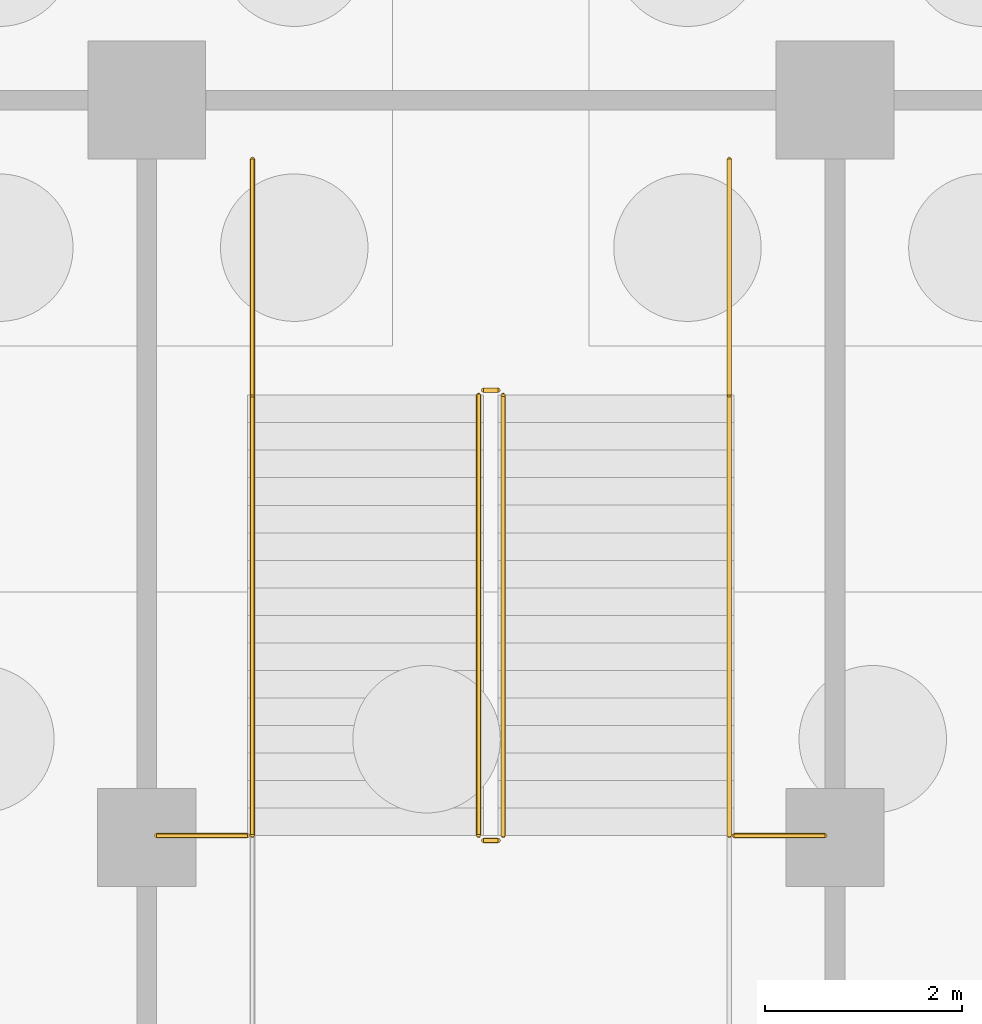
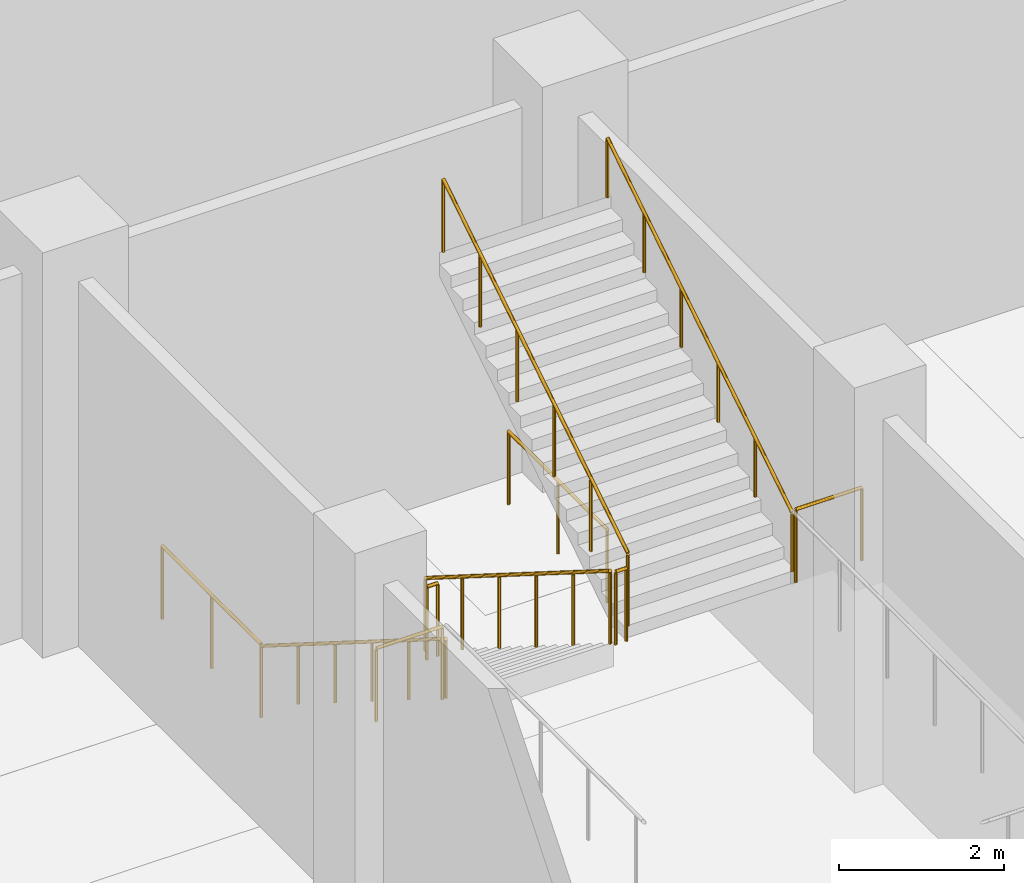
# One storey, part 33 of 39: 10 railings.
"""IFC4 building model written with IfcOpenShell, lengths in metres."""

from ifc_helpers import new_model, si_unit, direction, frame, origin, origin_2d, place, context, subcontext, project, spatial, circle, extrude, material, type_object, element, save


model = new_model("IFC4")

# Units and contexts
model_context = context("Model", 3, precision=1e-05, world=origin(), true_north=direction((0.0, 1.0)))
body_context = subcontext(model_context, "Body", "Model", "MODEL_VIEW")
ifc_project = project(units=[si_unit("LENGTHUNIT", "METRE"), si_unit("AREAUNIT", "SQUARE_METRE"), si_unit("VOLUMEUNIT", "CUBIC_METRE"), si_unit("PLANEANGLEUNIT", "RADIAN"), si_unit("MASSUNIT", "GRAM", prefix="KILO")], contexts=[model_context])

# Site, building, storey
site_placement = place(None, origin())
site = spatial("IfcSite", under=ifc_project, at=site_placement, CompositionType="ELEMENT")
building_placement = place(site_placement, origin())
building = spatial("IfcBuilding", under=site, at=building_placement, Name="Tamorin Gate", CompositionType="ELEMENT")
storey_placement = place(building_placement, frame((0.0, 0.0, -12.0)))
storey = spatial("IfcBuildingStorey", under=building, at=storey_placement, Name="B2", CompositionType="ELEMENT", Elevation=-12.0)

# Railings
ifc_material = material(Name="Steel", Category="steel")
railing_type_1 = type_object("IfcRailingType", Name="Podium guard 1100", PredefinedType="GUARDRAIL", material=ifc_material)
railing_1_placement = place(storey_placement, frame((70.875, 109.0, 0.176513671875)))
element("IfcRailing", 1, at=railing_1_placement, inside=storey, type_object=railing_type_1, Name="B2 SB4 stair guard 1", PredefinedType="GUARDRAIL", context=body_context, shape_type="SweptSolid", body=[
    extrude(circle(Radius=0.02392578125, at=origin_2d()), frame((0.0, 0.0, 1.076171875), z_axis=(0.0, -0.845997938375, 0.533186166611), x_axis=(1.0, 0.0, 0.0)), (0.0, 0.0, 1.0), 5.29541015625),
    extrude(circle(Radius=0.02099609375, at=origin_2d()), origin(), (0.0, 0.0, 1.0), 1.052001953125),
    extrude(circle(Radius=0.02099609375, at=origin_2d()), frame((0.0, -0.89599609375, 0.564697265625)), (0.0, 0.0, 1.0), 1.052001953125),
    extrude(circle(Radius=0.02099609375, at=origin_2d()), frame((0.0, -1.7919921875, 1.12939453125)), (0.0, 0.0, 1.0), 1.052001953125),
    extrude(circle(Radius=0.02099609375, at=origin_2d()), frame((0.0, -2.68798828125, 1.694091796875)), (0.0, 0.0, 1.0), 1.052001953125),
    extrude(circle(Radius=0.02099609375, at=origin_2d()), frame((0.0, -3.583984375, 2.2587890625)), (0.0, 0.0, 1.0), 1.052001953125),
    extrude(circle(Radius=0.02099609375, at=origin_2d()), frame((0.0, -4.47998046875, 2.823486328125)), (0.0, 0.0, 1.0), 1.052001953125),
])
railing_2_placement = place(storey_placement, frame((70.925048828125, 104.469970703125, 3.0)))
element("IfcRailing", 2, at=railing_2_placement, inside=storey, type_object=railing_type_1, Name="B2 SB4 stair guard 2", PredefinedType="GUARDRAIL", context=body_context, shape_type="SweptSolid", body=[
    extrude(circle(Radius=0.02392578125, at=origin_2d()), frame((0.0, 0.0, 1.076171875), z_axis=(1.0, 0.0, 0.0), x_axis=(0.0, 1.0, 0.0)), (0.0, 0.0, 1.0), 0.14990234375),
    extrude(circle(Radius=0.02099609375, at=origin_2d()), origin(), (0.0, 0.0, 1.0), 1.052001953125),
    extrude(circle(Radius=0.02099609375, at=origin_2d()), frame((0.14990234375, 0.0, 0.0)), (0.0, 0.0, 1.0), 1.052001953125),
])
railing_3_placement = place(storey_placement, frame((71.125, 104.52001953125, 3.176513671875)))
element("IfcRailing", 3, at=railing_3_placement, inside=storey, type_object=railing_type_1, Name="B2 SB4 stair guard 6", PredefinedType="GUARDRAIL", context=body_context, shape_type="SweptSolid", body=[
    extrude(circle(Radius=0.02392578125, at=origin_2d()), frame((0.0, 0.0, 1.076171875), z_axis=(0.0, 0.845997938375, 0.533186166611), x_axis=(-1.0, 0.0, 0.0)), (0.0, 0.0, 1.0), 5.29541015625),
    extrude(circle(Radius=0.02099609375, at=origin_2d()), origin(), (0.0, 0.0, 1.0), 1.052001953125),
    extrude(circle(Radius=0.02099609375, at=origin_2d()), frame((0.0, 0.89599609375, 0.564697265625)), (0.0, 0.0, 1.0), 1.052001953125),
    extrude(circle(Radius=0.02099609375, at=origin_2d()), frame((0.0, 1.7919921875, 1.12939453125)), (0.0, 0.0, 1.0), 1.052001953125),
    extrude(circle(Radius=0.02099609375, at=origin_2d()), frame((0.0, 2.68798828125, 1.694091796875)), (0.0, 0.0, 1.0), 1.052001953125),
    extrude(circle(Radius=0.02099609375, at=origin_2d()), frame((0.0, 3.583984375, 2.2587890625)), (0.0, 0.0, 1.0), 1.052001953125),
    extrude(circle(Radius=0.02099609375, at=origin_2d()), frame((0.0, 4.47998046875, 2.823486328125)), (0.0, 0.0, 1.0), 1.052001953125),
])
railing_4_placement = place(storey_placement, frame((70.925048828125, 109.050048828125, 0.0)))
element("IfcRailing", 4, at=railing_4_placement, inside=storey, type_object=railing_type_1, Name="B2 SB4 stair guard 7", PredefinedType="GUARDRAIL", context=body_context, shape_type="SweptSolid", body=[
    extrude(circle(Radius=0.02392578125, at=origin_2d()), frame((0.0, 0.0, 1.076171875), z_axis=(1.0, 0.0, 0.0), x_axis=(0.0, 1.0, 0.0)), (0.0, 0.0, 1.0), 0.14990234375),
    extrude(circle(Radius=0.02099609375, at=origin_2d()), origin(), (0.0, 0.0, 1.0), 1.052001953125),
    extrude(circle(Radius=0.02099609375, at=origin_2d()), frame((0.14990234375, 0.0, 0.0)), (0.0, 0.0, 1.0), 1.052001953125),
])
for number, where, name in (
    (5, (68.574951171875, 111.39990234375, 0.0), "B2 SB4 stair guard 8"),
    (6, (73.425048828125, 111.39990234375, 0.0), "B2 SB4 stair guard 9"),
):
    element("IfcRailing", number, at=place(storey_placement, frame(where)), inside=storey, type_object=railing_type_1, Name=name, PredefinedType="GUARDRAIL", context=body_context, shape_type="SweptSolid", body=[
        extrude(circle(Radius=0.02392578125, at=origin_2d()), frame((0.0, 0.0, 1.076171875), z_axis=(0.0, -1.0, 0.0), x_axis=(1.0, 0.0, 0.0)), (0.0, 0.0, 1.0), 2.39990234375),
        extrude(circle(Radius=0.02099609375, at=origin_2d()), origin(), (0.0, 0.0, 1.0), 1.052001953125),
        extrude(circle(Radius=0.02099609375, at=origin_2d()), frame((0.0, -1.199951171875, 0.0)), (0.0, 0.0, 1.0), 1.052001953125),
        extrude(circle(Radius=0.02099609375, at=origin_2d()), frame((0.0, -2.39990234375, 0.0)), (0.0, 0.0, 1.0), 1.052001953125),
    ])
for number, where, name in (
    (7, (67.60009765625, 104.52001953125, 3.0), "Landing edge guard"),
    (8, (73.47509765625, 104.52001953125, 3.0), "Landing edge guard"),
):
    element("IfcRailing", number, at=place(storey_placement, frame(where)), inside=storey, type_object=railing_type_1, Name=name, PredefinedType="GUARDRAIL", context=body_context, shape_type="SweptSolid", body=[
        extrude(circle(Radius=0.02392578125, at=origin_2d()), frame((0.0, 0.0, 1.076171875), z_axis=(1.0, 0.0, 0.0), x_axis=(0.0, 1.0, 0.0)), (0.0, 0.0, 1.0), 0.9248046875),
        extrude(circle(Radius=0.02099609375, at=origin_2d()), origin(), (0.0, 0.0, 1.0), 1.052001953125),
        extrude(circle(Radius=0.02099609375, at=origin_2d()), frame((0.9248046875, 0.0, 0.0)), (0.0, 0.0, 1.0), 1.052001953125),
    ])
railing_type_2 = type_object("IfcRailingType", Name="Podium stair handrail 900", PredefinedType="HANDRAIL", material=ifc_material)
railing_5_placement = place(storey_placement, frame((68.574951171875, 109.0, 0.176513671875)))
element("IfcRailing", 9, at=railing_5_placement, inside=storey, type_object=railing_type_2, Name="B2 SB4 stair handrail 1", PredefinedType="HANDRAIL", context=body_context, shape_type="SweptSolid", body=[
    extrude(circle(Radius=0.02392578125, at=origin_2d()), frame((0.0, 0.0, 0.8759765625), z_axis=(0.0, -0.845997938375, 0.533186166611), x_axis=(1.0, 0.0, 0.0)), (0.0, 0.0, 1.0), 5.29541015625),
    extrude(circle(Radius=0.02099609375, at=origin_2d()), origin(), (0.0, 0.0, 1.0), 0.851806640625),
    extrude(circle(Radius=0.02099609375, at=origin_2d()), frame((0.0, -0.89599609375, 0.564697265625)), (0.0, 0.0, 1.0), 0.851806640625),
    extrude(circle(Radius=0.02099609375, at=origin_2d()), frame((0.0, -1.7919921875, 1.12939453125)), (0.0, 0.0, 1.0), 0.851806640625),
    extrude(circle(Radius=0.02099609375, at=origin_2d()), frame((0.0, -2.68798828125, 1.694091796875)), (0.0, 0.0, 1.0), 0.851806640625),
    extrude(circle(Radius=0.02099609375, at=origin_2d()), frame((0.0, -3.583984375, 2.2587890625)), (0.0, 0.0, 1.0), 0.851806640625),
    extrude(circle(Radius=0.02099609375, at=origin_2d()), frame((0.0, -4.47998046875, 2.823486328125)), (0.0, 0.0, 1.0), 0.851806640625),
])
railing_6_placement = place(storey_placement, frame((73.425048828125, 104.52001953125, 3.176513671875)))
element("IfcRailing", 10, at=railing_6_placement, inside=storey, type_object=railing_type_2, Name="B2 SB4 stair handrail 2", PredefinedType="HANDRAIL", context=body_context, shape_type="SweptSolid", body=[
    extrude(circle(Radius=0.02392578125, at=origin_2d()), frame((0.0, 0.0, 0.8759765625), z_axis=(0.0, 0.845997938375, 0.533186166611), x_axis=(-1.0, 0.0, 0.0)), (0.0, 0.0, 1.0), 5.29541015625),
    extrude(circle(Radius=0.02099609375, at=origin_2d()), origin(), (0.0, 0.0, 1.0), 0.851806640625),
    extrude(circle(Radius=0.02099609375, at=origin_2d()), frame((0.0, 0.89599609375, 0.564697265625)), (0.0, 0.0, 1.0), 0.851806640625),
    extrude(circle(Radius=0.02099609375, at=origin_2d()), frame((0.0, 1.7919921875, 1.12939453125)), (0.0, 0.0, 1.0), 0.851806640625),
    extrude(circle(Radius=0.02099609375, at=origin_2d()), frame((0.0, 2.68798828125, 1.694091796875)), (0.0, 0.0, 1.0), 0.851806640625),
    extrude(circle(Radius=0.02099609375, at=origin_2d()), frame((0.0, 3.583984375, 2.2587890625)), (0.0, 0.0, 1.0), 0.851806640625),
    extrude(circle(Radius=0.02099609375, at=origin_2d()), frame((0.0, 4.47998046875, 2.823486328125)), (0.0, 0.0, 1.0), 0.851806640625),
])

save(model, "model.ifc")
